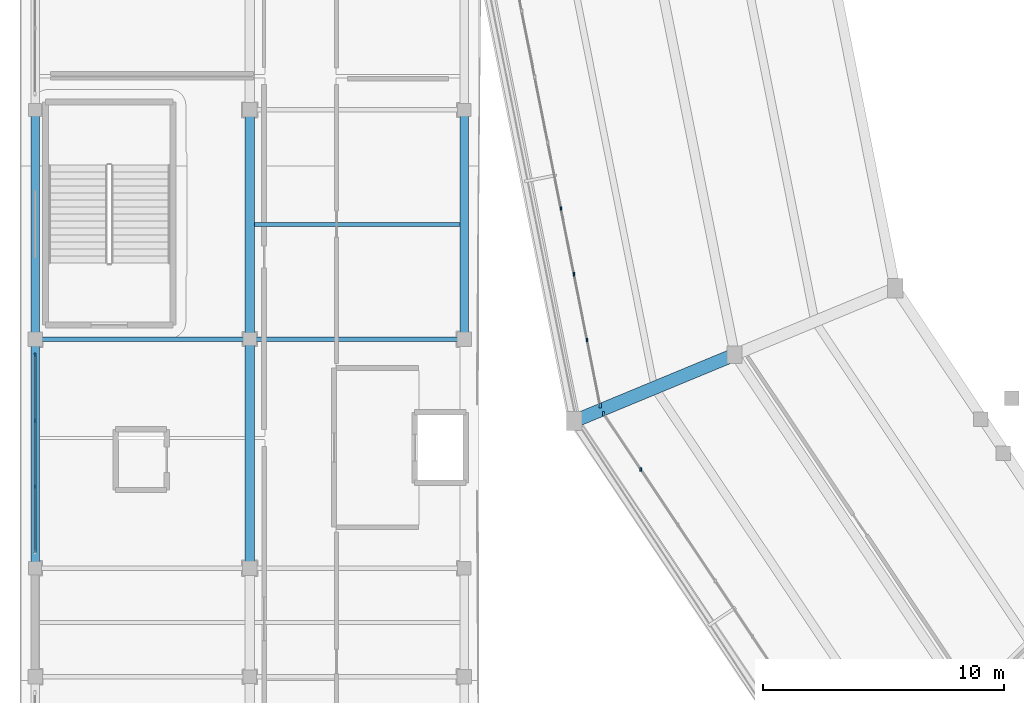
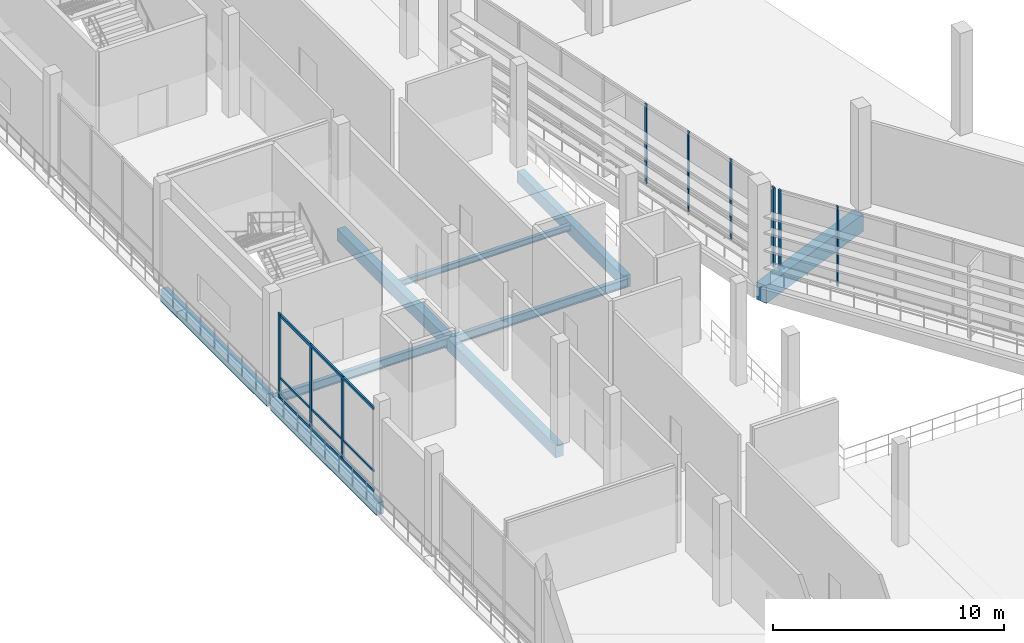
# One storey, part 14 of 111: 12 members, 9 beams, 3 elements without a shape of their own.
"""IFC4 building model written with IfcOpenShell, lengths in metres."""

from ifc_helpers import new_model, si_unit, direction, frame, origin, origin_2d, place, context, subcontext, project, spatial, rectangle, i_section, extrude, material, material_profile, profile_set, type_object, element, aggregate, save


model = new_model("IFC4")

# Units and contexts
model_context = context("Model", 3, precision=1e-05, world=origin(), true_north=direction((0.0, 1.0)))
body_context = subcontext(model_context, "Body", "Model", "MODEL_VIEW")
ifc_project = project(units=[si_unit("LENGTHUNIT", "METRE"), si_unit("AREAUNIT", "SQUARE_METRE"), si_unit("VOLUMEUNIT", "CUBIC_METRE"), si_unit("PLANEANGLEUNIT", "RADIAN"), si_unit("MASSUNIT", "GRAM", prefix="KILO")], contexts=[model_context])

# Site, building, storey
site_placement = place(None, origin())
site = spatial("IfcSite", under=ifc_project, at=site_placement, CompositionType="ELEMENT")
building_placement = place(site_placement, origin())
building = spatial("IfcBuilding", under=site, at=building_placement, Name="Candeia Ridge Stadium", CompositionType="ELEMENT")
storey_placement = place(building_placement, frame((0.0, 0.0, 16.199951171875)))
storey = spatial("IfcBuildingStorey", under=building, at=storey_placement, Name="L03", CompositionType="ELEMENT", Elevation=16.199951171875)

# Curtain wall, member
ifc_material_1 = material(Name="Aluminium Anodized Warm Bronze", Category="aluminium")
curtain_wall_type_1 = type_object("IfcCurtainWallType", Name="Concourse Recessed Unitised Curtain Wall", PredefinedType="NOTDEFINED", material=ifc_material_1)
curtain_wall_1_placement = place(storey_placement, origin())
curtain_wall_1 = element("IfcCurtainWall", 1, at=curtain_wall_1_placement, inside=storey, type_object=curtain_wall_type_1, Name="Unitised curtain wall CW-BWL-L03-14", PredefinedType="NOTDEFINED")
ifc_material_profile_1 = material_profile(ifc_material_1, rectangle(XDim=0.090087890625, YDim=0.179931640625, at=origin_2d()), Name="CWM-90x180", Category="aluminium")
ifc_profile_set_1 = profile_set([ifc_material_profile_1], Name="Aluminium Anodized Warm Bronze")
member_type_1 = type_object("IfcMemberType", Name="Curtain Wall Primary Mullion 90x180", PredefinedType="MULLION", material=ifc_profile_set_1)
member_1_placement = place(storey_placement, frame((24.03173828125, 51.736083984375, 0.0), z_axis=(0.0, 0.0, 1.0), x_axis=(1.0, 0.0, 0.0)))
member_1 = element("IfcMember", 2, at=member_1_placement, type_object=member_type_1, Name="Curtain wall mullion CW-BWL-L03-14-M7", PredefinedType="MULLION", context=body_context, shape_type="SweptSolid", body=[
    extrude(rectangle(XDim=0.090087890625, YDim=0.179931640625, at=origin_2d()), origin(), (0.0, 0.0, 1.0), 4.205078125),
])

curtain_wall_2_placement = place(storey_placement, origin())
curtain_wall_2 = element("IfcCurtainWall", 3, at=curtain_wall_2_placement, inside=storey, type_object=curtain_wall_type_1, Name="Unitised curtain wall CW-BWL-L03-15", PredefinedType="NOTDEFINED")
member_2_placement = place(storey_placement, frame((24.1669921875, 51.409912109375, 0.0), z_axis=(0.0, 0.0, 1.0), x_axis=(1.0, 0.0, 0.0)))
member_2 = element("IfcMember", 4, at=member_2_placement, type_object=member_type_1, Name="Curtain wall mullion CW-BWL-L03-15-M0", PredefinedType="MULLION", context=body_context, shape_type="SweptSolid", body=[
    extrude(rectangle(XDim=0.090087890625, YDim=0.179931640625, at=origin_2d()), origin(), (0.0, 0.0, 1.0), 4.205078125),
])

curtain_wall_type_2 = type_object("IfcCurtainWallType", Name="West Pavilion Hospitality Curtain Wall", PredefinedType="NOTDEFINED", material=ifc_material_1)
curtain_wall_3_placement = place(storey_placement, origin())
curtain_wall_3 = element("IfcCurtainWall", 5, at=curtain_wall_3_placement, inside=storey, type_object=curtain_wall_type_2, Name="Unitised curtain wall CW-WNG-L03-088", PredefinedType="NOTDEFINED")
member_3_placement = place(storey_placement, frame((0.60009765625, 53.840087890625, 0.0), z_axis=(0.0, 0.0, 1.0), x_axis=(1.0, 0.0, 0.0)))
member_3 = element("IfcMember", 6, at=member_3_placement, type_object=member_type_1, Name="Curtain wall mullion CW-WNG-L03-088-M3", PredefinedType="MULLION", context=body_context, shape_type="SweptSolid", body=[
    extrude(rectangle(XDim=0.090087890625, YDim=0.179931640625, at=origin_2d()), origin(), (0.0, 0.0, 1.0), 4.47509765625),
])

# Member
ifc_material_profile_2 = material_profile(ifc_material_1, rectangle(XDim=0.074951171875, YDim=0.14990234375, at=origin_2d()), Name="CWM-75x150", Category="aluminium")
ifc_profile_set_2 = profile_set([ifc_material_profile_2], Name="Aluminium Anodized Warm Bronze")
member_type_2 = type_object("IfcMemberType", Name="Curtain Wall Secondary Mullion 75x150", PredefinedType="MULLION", material=ifc_profile_set_2)
member_4_placement = place(storey_placement, frame((22.404541015625, 59.91650390625, 0.0), z_axis=(0.0, 0.0, 1.0), x_axis=(1.0, 0.0, 0.0)))
member_4 = element("IfcMember", 7, at=member_4_placement, type_object=member_type_2, Name="Curtain wall mullion CW-BWL-L03-14-M4", PredefinedType="MULLION", context=body_context, shape_type="SweptSolid", body=[
    extrude(rectangle(XDim=0.074951171875, YDim=0.14990234375, at=origin_2d()), origin(), (0.0, 0.0, 1.0), 4.205078125),
])

member_5_placement = place(storey_placement, frame((22.947021484375, 57.189697265625, 0.0), z_axis=(0.0, 0.0, 1.0), x_axis=(1.0, 0.0, 0.0)))
member_5 = element("IfcMember", 8, at=member_5_placement, type_object=member_type_2, Name="Curtain wall mullion CW-BWL-L03-14-M5", PredefinedType="MULLION", context=body_context, shape_type="SweptSolid", body=[
    extrude(rectangle(XDim=0.074951171875, YDim=0.14990234375, at=origin_2d()), origin(), (0.0, 0.0, 1.0), 4.205078125),
])

member_6_placement = place(storey_placement, frame((23.489501953125, 54.462890625, 0.0), z_axis=(0.0, 0.0, 1.0), x_axis=(1.0, 0.0, 0.0)))
member_6 = element("IfcMember", 9, at=member_6_placement, type_object=member_type_2, Name="Curtain wall mullion CW-BWL-L03-14-M6", PredefinedType="MULLION", context=body_context, shape_type="SweptSolid", body=[
    extrude(rectangle(XDim=0.074951171875, YDim=0.14990234375, at=origin_2d()), origin(), (0.0, 0.0, 1.0), 4.205078125),
])

aggregate(curtain_wall_1, [member_4, member_5, member_6, member_1])

member_7_placement = place(storey_placement, frame((25.71142578125, 49.098388671875, 0.0), z_axis=(0.0, 0.0, 1.0), x_axis=(1.0, 0.0, 0.0)))
member_7 = element("IfcMember", 10, at=member_7_placement, type_object=member_type_2, Name="Curtain wall mullion CW-BWL-L03-15-M1", PredefinedType="MULLION", context=body_context, shape_type="SweptSolid", body=[
    extrude(rectangle(XDim=0.074951171875, YDim=0.14990234375, at=origin_2d()), origin(), (0.0, 0.0, 1.0), 4.205078125),
])

aggregate(curtain_wall_2, [member_2, member_7])

member_8_placement = place(storey_placement, frame((0.60009765625, 48.38671875, 0.0), z_axis=(0.0, 0.0, 1.0), x_axis=(1.0, 0.0, 0.0)))
member_8 = element("IfcMember", 11, at=member_8_placement, type_object=member_type_2, Name="Curtain wall mullion CW-WNG-L03-088-M1", PredefinedType="MULLION", context=body_context, shape_type="SweptSolid", body=[
    extrude(rectangle(XDim=0.074951171875, YDim=0.14990234375, at=origin_2d()), origin(), (0.0, 0.0, 1.0), 4.47509765625),
])

member_9_placement = place(storey_placement, frame((0.60009765625, 51.11328125, 0.0), z_axis=(0.0, 0.0, 1.0), x_axis=(1.0, 0.0, 0.0)))
member_9 = element("IfcMember", 12, at=member_9_placement, type_object=member_type_2, Name="Curtain wall mullion CW-WNG-L03-088-M2", PredefinedType="MULLION", context=body_context, shape_type="SweptSolid", body=[
    extrude(rectangle(XDim=0.074951171875, YDim=0.14990234375, at=origin_2d()), origin(), (0.0, 0.0, 1.0), 4.47509765625),
])

ifc_material_profile_3 = material_profile(ifc_material_1, rectangle(XDim=0.074951171875, YDim=0.110107421875, at=origin_2d()), Name="CWT-75x110", Category="aluminium")
ifc_profile_set_3 = profile_set([ifc_material_profile_3], Name="Aluminium Anodized Warm Bronze")
member_type_3 = type_object("IfcMemberType", Name="Curtain Wall Secondary Transom 75x110", PredefinedType="USERDEFINED", material=ifc_profile_set_3)
member_10_placement = place(storey_placement, frame((0.60009765625, 45.659912109375, 1.10009765625), z_axis=(0.0, 1.0, 0.0), x_axis=(-1.0, 0.0, 0.0)))
member_10 = element("IfcMember", 13, at=member_10_placement, type_object=member_type_3, Name="Curtain wall transom CW-WNG-L03-088-T1", ObjectType="TRANSOM", PredefinedType="USERDEFINED", context=body_context, shape_type="SweptSolid", body=[
    extrude(rectangle(XDim=0.074951171875, YDim=0.110107421875, at=origin_2d()), origin(), (0.0, 0.0, 1.0), 8.18017578125),
])

ifc_material_profile_4 = material_profile(ifc_material_1, rectangle(XDim=0.090087890625, YDim=0.139892578125, at=origin_2d()), Name="CWT-90x140", Category="aluminium")
ifc_profile_set_4 = profile_set([ifc_material_profile_4], Name="Aluminium Anodized Warm Bronze")
member_type_4 = type_object("IfcMemberType", Name="Curtain Wall Transom 90x140", PredefinedType="USERDEFINED", material=ifc_profile_set_4)
member_11_placement = place(storey_placement, frame((0.60009765625, 45.659912109375, 0.070068359375), z_axis=(0.0, 1.0, 0.0), x_axis=(-1.0, 0.0, 0.0)))
member_11 = element("IfcMember", 14, at=member_11_placement, type_object=member_type_4, Name="Curtain wall transom CW-WNG-L03-088-T0", ObjectType="TRANSOM", PredefinedType="USERDEFINED", context=body_context, shape_type="SweptSolid", body=[
    extrude(rectangle(XDim=0.090087890625, YDim=0.139892578125, at=origin_2d()), origin(), (0.0, 0.0, 1.0), 8.18017578125),
])

member_12_placement = place(storey_placement, frame((0.60009765625, 45.659912109375, 4.405029296875), z_axis=(0.0, 1.0, 0.0), x_axis=(-1.0, 0.0, 0.0)))
member_12 = element("IfcMember", 15, at=member_12_placement, type_object=member_type_4, Name="Curtain wall transom CW-WNG-L03-088-T2", ObjectType="TRANSOM", PredefinedType="USERDEFINED", context=body_context, shape_type="SweptSolid", body=[
    extrude(rectangle(XDim=0.090087890625, YDim=0.139892578125, at=origin_2d()), origin(), (0.0, 0.0, 1.0), 8.18017578125),
])

aggregate(curtain_wall_3, [member_8, member_9, member_3, member_11, member_10, member_12])

# Beams
ifc_material_2 = material(Name="Concrete C45/55", Category="concrete")
ifc_material_profile_5 = material_profile(ifc_material_2, rectangle(XDim=0.550048828125, YDim=0.919921875, at=origin_2d()), Name="RC550x920", Category="concrete")
ifc_profile_set_5 = profile_set([ifc_material_profile_5], Name="Concrete C45/55")
beam_type_1 = type_object("IfcBeamType", Name="Frame Girder RC550x920", PredefinedType="BEAM", material=ifc_profile_set_5)
beam_1_placement = place(storey_placement, frame((29.46240234375, 53.79443359375, -0.7099609375), z_axis=(-0.923880161031, -0.382681914982, 0.0), x_axis=(0.382681914982, -0.923880161031, 0.0)))
element("IfcBeam", 16, at=beam_1_placement, inside=storey, type_object=beam_type_1, Name="Bowl radial girder BM-L03-0512", PredefinedType="BEAM", context=body_context, shape_type="SweptSolid", body=[
    extrude(rectangle(XDim=0.550048828125, YDim=0.919921875, at=origin_2d()), origin(), (0.0, 0.0, 1.0), 6.8798828125),
])
ifc_material_3 = material(Name="Steel ASTM A572 Grade 50", Category="steel")
ifc_material_profile_6 = material_profile(ifc_material_3, i_section(OverallWidth=0.1669921875, OverallDepth=0.31689453125, WebThickness=0.007568359375, FlangeThickness=0.01318359375, FilletRadius=0.011962890625, at=origin_2d()), Name="W310x52", Category="steel")
ifc_profile_set_6 = profile_set([ifc_material_profile_6], Name="Steel ASTM A572 Grade 50")
beam_type_2 = type_object("IfcBeamType", Name="Pavilion Secondary Joist W310x52", PredefinedType="JOIST", material=ifc_profile_set_6)
beam_2_placement = place(storey_placement, frame((9.699462890625, 59.25, -0.408447265625), z_axis=(1.0, 0.0, 0.0), x_axis=(0.0, 1.0, 0.0)))
element("IfcBeam", 17, at=beam_2_placement, inside=storey, type_object=beam_type_2, Name="Wing secondary joist BM-L03-1257", PredefinedType="JOIST", context=body_context, shape_type="SweptSolid", body=[
    extrude(i_section(OverallWidth=0.1669921875, OverallDepth=0.31689453125, WebThickness=0.007568359375, FlangeThickness=0.01318359375, FilletRadius=0.011962890625, at=origin_2d()), origin(), (0.0, 0.0, 1.0), 8.526123046875),
])
ifc_material_profile_7 = material_profile(ifc_material_3, i_section(OverallWidth=0.18994140625, OverallDepth=0.45703125, WebThickness=0.009033203125, FlangeThickness=0.014404296875, FilletRadius=0.012939453125, at=origin_2d()), Name="W460x74", Category="steel")
ifc_profile_set_7 = profile_set([ifc_material_profile_7], Name="Steel ASTM A572 Grade 50")
beam_type_3 = type_object("IfcBeamType", Name="Pavilion Steel Girder W460x74", PredefinedType="BEAM", material=ifc_profile_set_7)
for number, where, z_axis, x_axis, name in (
    (18, (0.64990234375, 54.5, -0.478515625), (1.0, 0.0, 0.0), (0.0, 1.0, 0.0), "Structural girder BM-L03-1238"),
    (19, (9.550048828125, 54.5, -0.478515625), (1.0, 0.0, 0.0), (0.0, 1.0, 0.0), "Structural girder BM-L03-1256"),
):
    element("IfcBeam", number, at=place(storey_placement, frame(where, z_axis=z_axis, x_axis=x_axis)), inside=storey, type_object=beam_type_3, Name=name, PredefinedType="BEAM", context=body_context, shape_type="SweptSolid", body=[
        extrude(i_section(OverallWidth=0.18994140625, OverallDepth=0.45703125, WebThickness=0.009033203125, FlangeThickness=0.014404296875, FilletRadius=0.012939453125, at=origin_2d()), origin(), (0.0, 0.0, 1.0), 8.800048828125),
    ])
ifc_material_4 = material(Name="Concrete C40/50", Category="concrete")
ifc_material_profile_8 = material_profile(ifc_material_4, rectangle(XDim=0.35009765625, YDim=0.64990234375, at=origin_2d()), Name="RC350x650", Category="concrete")
ifc_profile_set_8 = profile_set([ifc_material_profile_8], Name="Concrete C40/50")
beam_type_4 = type_object("IfcBeamType", Name="Spandrel Beam RC350x650", PredefinedType="SPANDREL", material=ifc_profile_set_8)
for number, where, z_axis, x_axis, name in (
    (20, (0.60009765625, 45.159912109375, -0.574951171875), (0.0, 1.0, 0.0), (-1.0, 0.0, 0.0), "Structural girder BM-L03-1196"),
    (21, (0.60009765625, 54.659912109375, -0.574951171875), (0.0, 1.0, 0.0), (-1.0, 0.0, 0.0), "Structural girder BM-L03-1197"),
    (22, (18.39990234375, 54.659912109375, -0.574951171875), (0.0, 1.0, 0.0), (-1.0, 0.0, 0.0), "Structural girder BM-L03-1222"),
):
    element("IfcBeam", number, at=place(storey_placement, frame(where, z_axis=z_axis, x_axis=x_axis)), inside=storey, type_object=beam_type_4, Name=name, PredefinedType="SPANDREL", context=body_context, shape_type="SweptSolid", body=[
        extrude(rectangle(XDim=0.35009765625, YDim=0.64990234375, at=origin_2d()), origin(), (0.0, 0.0, 1.0), 9.18017578125),
    ])
ifc_material_profile_9 = material_profile(ifc_material_4, rectangle(XDim=0.39990234375, YDim=0.64990234375, at=origin_2d()), Name="RC400x650", Category="concrete")
ifc_profile_set_9 = profile_set([ifc_material_profile_9], Name="Concrete C40/50")
beam_type_5 = type_object("IfcBeamType", Name="Wing Primary Girder RC400x650", PredefinedType="BEAM", material=ifc_profile_set_9)
for number, where, z_axis, x_axis, name in (
    (23, (9.5, 45.050048828125, -0.574951171875), (0.0, 1.0, 0.0), (-1.0, 0.0, 0.0), "Structural girder BM-L03-1210"),
    (24, (9.5, 54.550048828125, -0.574951171875), (0.0, 1.0, 0.0), (-1.0, 0.0, 0.0), "Structural girder BM-L03-1211"),
):
    element("IfcBeam", number, at=place(storey_placement, frame(where, z_axis=z_axis, x_axis=x_axis)), inside=storey, type_object=beam_type_5, Name=name, PredefinedType="BEAM", context=body_context, shape_type="SweptSolid", body=[
        extrude(rectangle(XDim=0.39990234375, YDim=0.64990234375, at=origin_2d()), origin(), (0.0, 0.0, 1.0), 9.39990234375),
    ])

save(model, "model.ifc")
